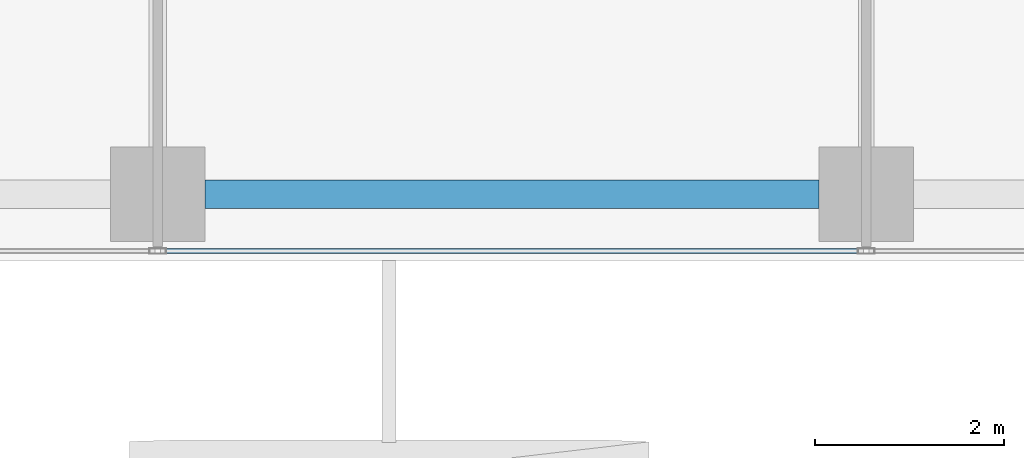
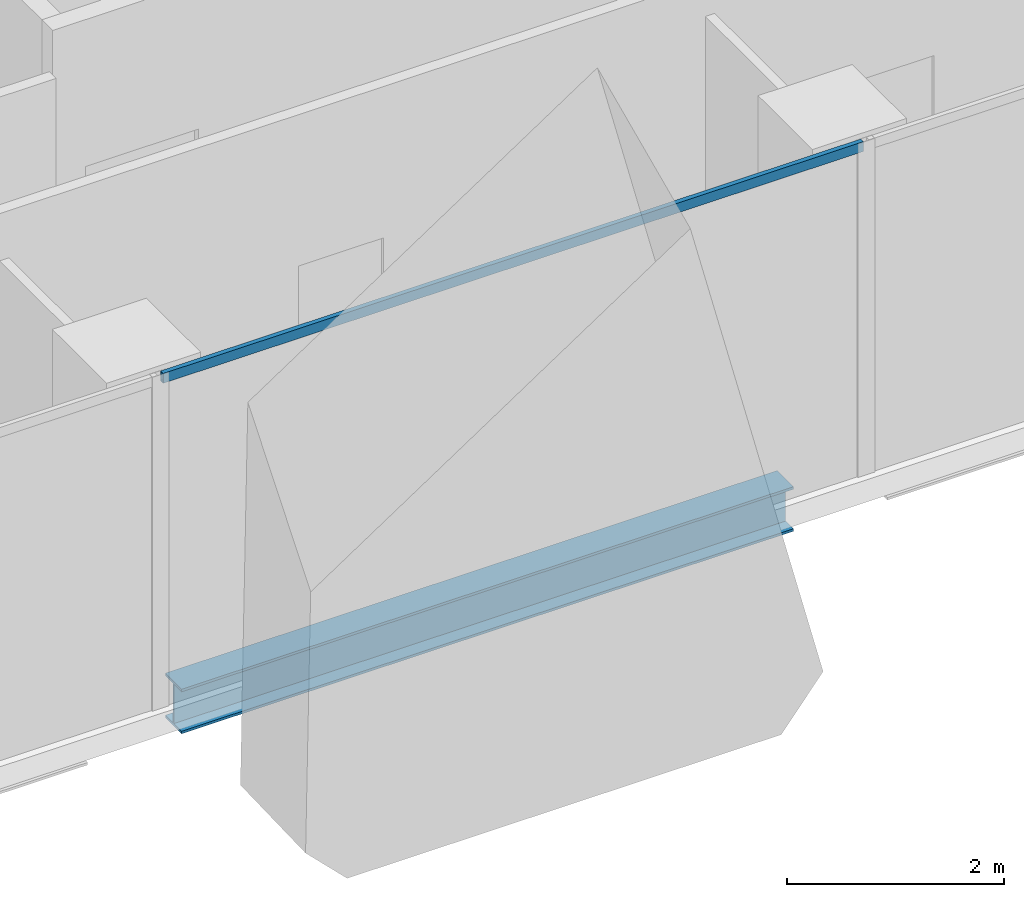
# One storey, part 3 of 38: 1 beam, 1 member, 1 element without a shape of its own.
"""IFC4 building model written with IfcOpenShell, lengths in metres."""

from ifc_helpers import new_model, si_unit, direction, frame, origin, origin_2d, place, context, subcontext, project, spatial, hollow_rectangle, i_section, extrude, source, transform, mapped, material, material_profile, profile_set, type_object, element, aggregate, save


model = new_model("IFC4")

# Units and contexts
model_context = context("Model", 3, precision=1e-05, world=origin(), true_north=direction((0.0, 1.0)))
body_context = subcontext(model_context, "Body", "Model", "MODEL_VIEW")
ifc_project = project(units=[si_unit("LENGTHUNIT", "METRE"), si_unit("AREAUNIT", "SQUARE_METRE"), si_unit("VOLUMEUNIT", "CUBIC_METRE"), si_unit("PLANEANGLEUNIT", "RADIAN"), si_unit("MASSUNIT", "GRAM", prefix="KILO")], contexts=[model_context])

# Site, building, storey
site_placement = place(None, origin())
site = spatial("IfcSite", under=ifc_project, at=site_placement, CompositionType="ELEMENT")
building_placement = place(site_placement, origin())
building = spatial("IfcBuilding", under=site, at=building_placement, Name="Khomas Fold Tower", CompositionType="ELEMENT")
storey_placement = place(building_placement, frame((0.0, 0.0, 196.699951171875)))
storey = spatial("IfcBuildingStorey", under=building, at=storey_placement, Name="L43", CompositionType="ELEMENT", Elevation=196.699951171875)

# Beam
ifc_material_1 = material(Name="Steel S355", Category="steel")
ifc_material_profile_1 = material_profile(ifc_material_1, i_section(OverallWidth=0.300048828125, OverallDepth=0.5, WebThickness=0.014404296875, FlangeThickness=0.028076171875, at=origin_2d()), Name="HE 500 B")
ifc_profile_set_1 = profile_set([ifc_material_profile_1], Name="Steel S355")
beam_type = type_object("IfcBeamType", Name="HE 500 B spandrel SB3", PredefinedType="SPANDREL", material=ifc_profile_set_1)
shared_shape_1 = source(origin(), body_context, "Body", "SweptSolid", [
    extrude(i_section(OverallWidth=0.300048828125, OverallDepth=0.5, WebThickness=0.014404296875, FlangeThickness=0.028076171875, at=origin_2d()), origin(), (0.0, 0.0, 1.0), 6.5),
])
beam_placement = place(storey_placement, frame((12.5, 3.699951171875, -0.5), z_axis=(1.0, 0.0, 0.0), x_axis=(0.0, 1.0, 0.0)))
element("IfcBeam", 1, at=beam_placement, inside=storey, type_object=beam_type, Name="SB3", PredefinedType="SPANDREL", context=body_context, shape_type="MappedRepresentation", body=[
    mapped(shared_shape_1, transform((0.0, 0.0, 0.0))),
])

# Curtain wall, member
ifc_material_2 = material(Name="Aluminium framed double glazing", Category="aluminium")
curtain_wall_type = type_object("IfcCurtainWallType", Name="SK-Unitised clear-glass wall, office floors CW2", PredefinedType="NOTDEFINED", material=ifc_material_2)
curtain_wall_placement = place(storey_placement, origin())
curtain_wall = element("IfcCurtainWall", 2, at=curtain_wall_placement, inside=storey, type_object=curtain_wall_type, Name="CW2 run L43 00-0", PredefinedType="NOTDEFINED")
ifc_material_3 = material(Name="Aluminium", Category="aluminium")
ifc_material_profile_2 = material_profile(ifc_material_3, hollow_rectangle(XDim=0.050048828125, YDim=0.110107421875, WallThickness=0.00390625, at=origin_2d()), Name="SK-Unitised clear-glass wall, office floors transom CW2-T")
ifc_profile_set_2 = profile_set([ifc_material_profile_2], Name="Aluminium")
member_type = type_object("IfcMemberType", Name="SK-Unitised clear-glass wall, office floors transom CW2-T", PredefinedType="USERDEFINED", material=ifc_profile_set_2)
shared_shape_2 = source(origin(), body_context, "Body", "SweptSolid", [
    extrude(hollow_rectangle(XDim=0.050048828125, YDim=0.110107421875, WallThickness=0.00390625, at=origin_2d()), origin(), (0.0, 0.0, 1.0), 7.43994140625),
])
member_placement = place(storey_placement, frame((12.030029296875, 3.10009765625, 3.695068359375), z_axis=(1.0, 0.0, 0.0), x_axis=(0.0, 1.0, 0.0)))
member = element("IfcMember", 3, at=member_placement, type_object=member_type, Name="CW2 transom 3", ObjectType="TRANSOM", PredefinedType="USERDEFINED", context=body_context, shape_type="MappedRepresentation", body=[
    mapped(shared_shape_2, transform((0.0, 0.0, 0.0))),
])
aggregate(curtain_wall, [member])

save(model, "model.ifc")
